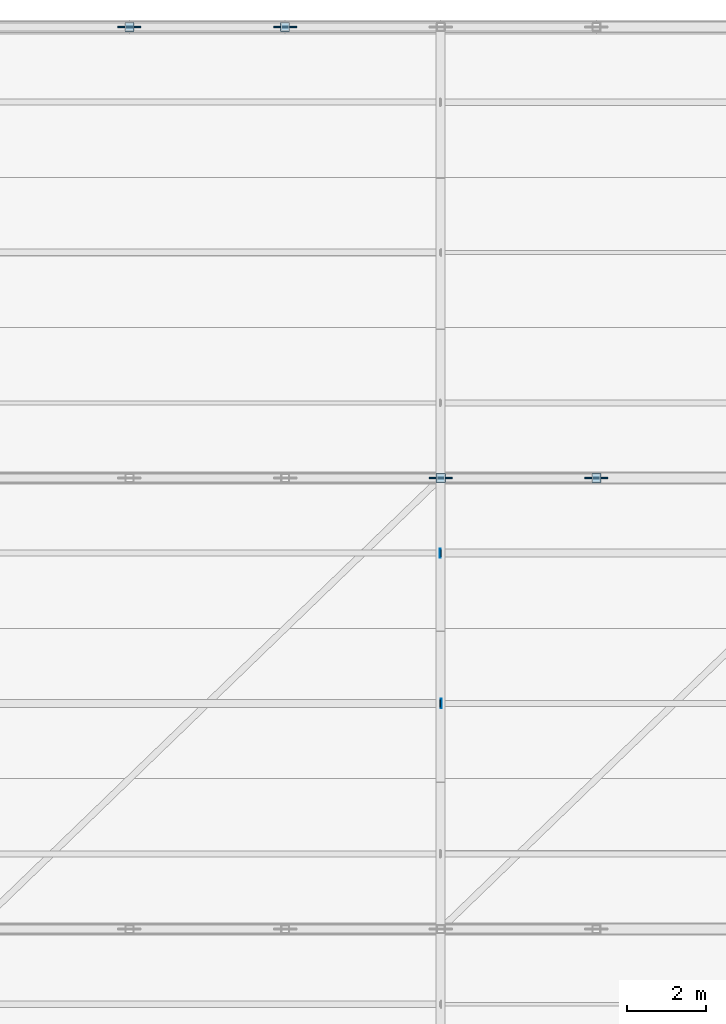
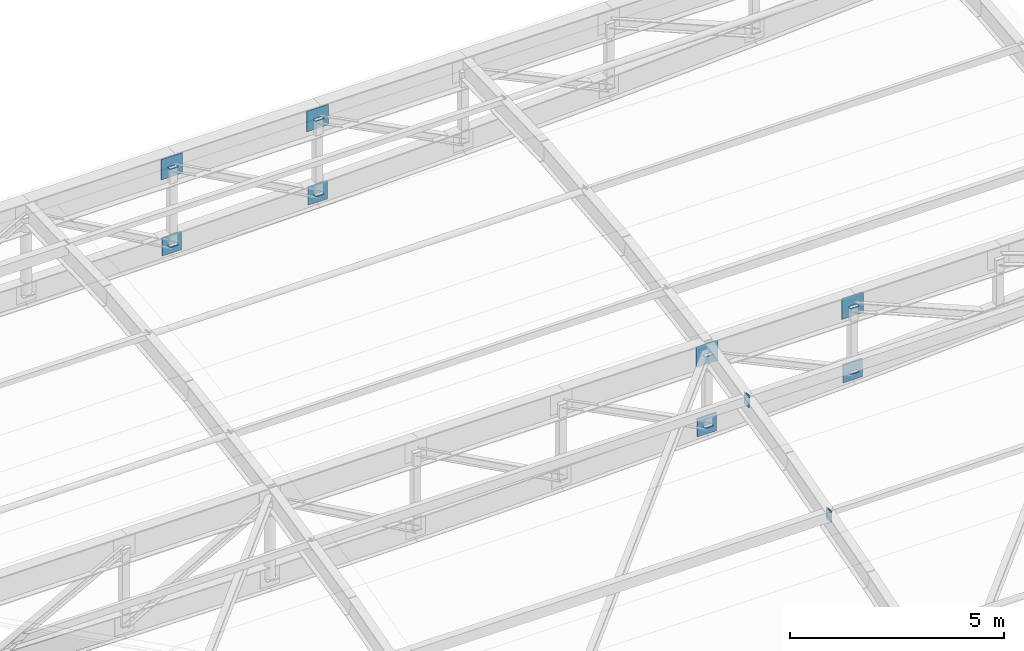
# One storey, part 61 of 65: 20 plates.
"""IFC4 building model written with IfcOpenShell, lengths in metres."""

from ifc_helpers import new_model, si_unit, direction, frame, origin, origin_2d, place, context, subcontext, project, spatial, rectangle, extrude, material, layer, layer_set, type_object, element, save


model = new_model("IFC4")

# Units and contexts
model_context = context("Model", 3, precision=1e-05, world=origin(), true_north=direction((0.0, 1.0)))
body_context = subcontext(model_context, "Body", "Model", "MODEL_VIEW")
ifc_project = project(units=[si_unit("LENGTHUNIT", "METRE"), si_unit("AREAUNIT", "SQUARE_METRE"), si_unit("VOLUMEUNIT", "CUBIC_METRE"), si_unit("PLANEANGLEUNIT", "RADIAN"), si_unit("MASSUNIT", "GRAM", prefix="KILO"), si_unit("POWERUNIT", "WATT"), si_unit("THERMODYNAMICTEMPERATUREUNIT", "KELVIN")], contexts=[model_context])

# Site, building, storey
site_placement = place(None, origin())
site = spatial("IfcSite", under=ifc_project, at=site_placement, CompositionType="ELEMENT")
building_placement = place(site_placement, origin())
building = spatial("IfcBuilding", under=site, at=building_placement, Name="Kelmbourne Parkland Aquatics Centre", CompositionType="ELEMENT")
storey_placement = place(building_placement, frame((0.0, 0.0, 27.0)))
storey = spatial("IfcBuildingStorey", under=building, at=storey_placement, Name="RF", CompositionType="ELEMENT", Elevation=27.0)

# Plates
ifc_material = material(Name="Welded plate steel AS/NZS 3678 Grade 350", Category="steel")
ifc_layer_1 = layer(ifc_material, 0.02001953125)
ifc_layer_set_1 = layer_set([ifc_layer_1], Name="Welded plate steel AS/NZS 3678 Grade 350")
plate_type_1 = type_object("IfcPlateType", Name="PL-CAP-20", PredefinedType="USERDEFINED", material=ifc_layer_set_1)
for number, where, z_axis, x_axis, name in (
    (1, (163.39990234375, 103.39990234375, -2.05322265625), (0.0, 0.0, 1.0), (1.0, 0.0, 0.0), "Hollow end cap plate CAP-0267"),
    (2, (163.39990234375, 103.39990234375, -0.017578125), (0.0, 0.0, 1.0), (1.0, 0.0, 0.0), "Hollow end cap plate CAP-0268"),
    (3, (167.333251953125, 103.39990234375, -1.8876953125), (0.0, 0.0, 1.0), (1.0, 0.0, 0.0), "Hollow end cap plate CAP-0269"),
    (4, (167.333251953125, 103.39990234375, -0.017578125), (0.0, 0.0, 1.0), (1.0, 0.0, 0.0), "Hollow end cap plate CAP-0270"),
    (5, (155.533203125, 114.800048828125, -1.04541015625), (0.0, 0.0, 1.0), (1.0, 0.0, 0.0), "Hollow end cap plate CAP-0289"),
    (6, (155.533203125, 114.800048828125, 1.178955078125), (0.0, 0.0, 1.0), (1.0, 0.0, 0.0), "Hollow end cap plate CAP-0290"),
    (7, (159.466796875, 114.800048828125, -0.974609375), (0.0, 0.0, 1.0), (1.0, 0.0, 0.0), "Hollow end cap plate CAP-0291"),
    (8, (159.466796875, 114.800048828125, 1.178955078125), (0.0, 0.0, 1.0), (1.0, 0.0, 0.0), "Hollow end cap plate CAP-0292"),
):
    element("IfcPlate", number, at=place(storey_placement, frame(where, z_axis=z_axis, x_axis=x_axis)), inside=storey, type_object=plate_type_1, Name=name, ObjectType="END CAP PLATE", PredefinedType="USERDEFINED", context=body_context, shape_type="SweptSolid", body=[
        extrude(rectangle(XDim=0.22998046875, YDim=0.22998046875, at=origin_2d()), origin(), (0.0, 0.0, 1.0), 0.02001953125),
    ])
plate_1_placement = place(storey_placement, frame((163.39111328125, 97.699951171875, -1.17236328125), z_axis=(0.0, 0.0, 1.0), x_axis=(-1.0, 0.0, 0.0)))
element("IfcPlate", 9, at=plate_1_placement, inside=storey, type_object=plate_type_1, Name="Hollow end cap plate CAP-0507", ObjectType="END CAP PLATE", PredefinedType="USERDEFINED", context=body_context, shape_type="SweptSolid", body=[
    extrude(rectangle(XDim=0.02001953125, YDim=0.179931640625, at=origin_2d()), origin(), (0.0, 0.0, 1.0), 0.179931640625),
])
plate_2_placement = place(storey_placement, frame((163.408935546875, 101.5, -0.29296875), z_axis=(0.0, 0.0, 1.0), x_axis=(1.0, 0.0, 0.0)))
element("IfcPlate", 10, at=plate_2_placement, inside=storey, type_object=plate_type_1, Name="Hollow end cap plate CAP-0514", ObjectType="END CAP PLATE", PredefinedType="USERDEFINED", context=body_context, shape_type="SweptSolid", body=[
    extrude(rectangle(XDim=0.02001953125, YDim=0.179931640625, at=origin_2d()), origin(), (0.0, 0.0, 1.0), 0.280029296875),
])
ifc_layer_2 = layer(ifc_material, 0.02392578125)
ifc_layer_set_2 = layer_set([ifc_layer_2], Name="Welded plate steel AS/NZS 3678 Grade 350")
plate_type_2 = type_object("IfcPlateType", Name="PL-CAP-24", PredefinedType="USERDEFINED", material=ifc_layer_set_2)
for number, where, z_axis, x_axis, name in (
    (11, (163.410888671875, 97.699951171875, -1.322509765625), (0.0, 0.0, 1.0), (1.0, 0.0, 0.0), "Hollow end cap plate CAP-0506"),
    (12, (163.388916015625, 101.5, -0.343017578125), (0.0, 0.0, 1.0), (-1.0, 0.0, 0.0), "Hollow end cap plate CAP-0515"),
):
    element("IfcPlate", number, at=place(storey_placement, frame(where, z_axis=z_axis, x_axis=x_axis)), inside=storey, type_object=plate_type_2, Name=name, ObjectType="END CAP PLATE", PredefinedType="USERDEFINED", context=body_context, shape_type="SweptSolid", body=[
        extrude(rectangle(XDim=0.02392578125, YDim=0.22998046875, at=origin_2d()), origin(), (0.0, 0.0, 1.0), 0.330078125),
    ])
ifc_layer_3 = layer(ifc_material, 0.031982421875)
ifc_layer_set_3 = layer_set([ifc_layer_3], Name="Welded plate steel AS/NZS 3678 Grade 350")
plate_type_3 = type_object("IfcPlateType", Name="PL-GUS-3", PredefinedType="USERDEFINED", material=ifc_layer_set_3)
plate_3_placement = place(storey_placement, frame((163.39990234375, 103.39990234375, -0.306640625), z_axis=(0.0, 0.0, 1.0), x_axis=(1.0, 0.0, 0.0)))
element("IfcPlate", 13, at=plate_3_placement, inside=storey, type_object=plate_type_3, Name="Truss top node TN-3 gusset plate R09-N9", ObjectType="GUSSET PLATE", PredefinedType="USERDEFINED", context=body_context, shape_type="SweptSolid", body=[
    extrude(rectangle(XDim=0.580078125, YDim=0.031982421875, at=origin_2d()), origin(), (0.0, 0.0, 1.0), 0.580078125),
])
plate_4_placement = place(storey_placement, frame((163.39990234375, 103.39990234375, -2.294189453125), z_axis=(0.0, 0.0, 1.0), x_axis=(1.0, 0.0, 0.0)))
element("IfcPlate", 14, at=plate_4_placement, inside=storey, type_object=plate_type_3, Name="Truss bottom node TN-3 gusset plate R09-B9", ObjectType="GUSSET PLATE", PredefinedType="USERDEFINED", context=body_context, shape_type="SweptSolid", body=[
    extrude(rectangle(XDim=0.52001953125, YDim=0.031982421875, at=origin_2d()), origin(), (0.0, 0.0, 1.0), 0.52001953125),
])
plate_5_placement = place(storey_placement, frame((167.333251953125, 103.39990234375, -0.306640625), z_axis=(0.0, 0.0, 1.0), x_axis=(1.0, 0.0, 0.0)))
element("IfcPlate", 15, at=plate_5_placement, inside=storey, type_object=plate_type_3, Name="Truss top node TN-3 gusset plate R09-N10", ObjectType="GUSSET PLATE", PredefinedType="USERDEFINED", context=body_context, shape_type="SweptSolid", body=[
    extrude(rectangle(XDim=0.580078125, YDim=0.031982421875, at=origin_2d()), origin(), (0.0, 0.0, 1.0), 0.580078125),
])
plate_6_placement = place(storey_placement, frame((167.333251953125, 103.39990234375, -2.12890625), z_axis=(0.0, 0.0, 1.0), x_axis=(1.0, 0.0, 0.0)))
element("IfcPlate", 16, at=plate_6_placement, inside=storey, type_object=plate_type_3, Name="Truss bottom node TN-3 gusset plate R09-B10", ObjectType="GUSSET PLATE", PredefinedType="USERDEFINED", context=body_context, shape_type="SweptSolid", body=[
    extrude(rectangle(XDim=0.52001953125, YDim=0.031982421875, at=origin_2d()), origin(), (0.0, 0.0, 1.0), 0.52001953125),
])
plate_7_placement = place(storey_placement, frame((155.533203125, 114.800048828125, 0.889892578125), z_axis=(0.0, 0.0, 1.0), x_axis=(1.0, 0.0, 0.0)))
element("IfcPlate", 17, at=plate_7_placement, inside=storey, type_object=plate_type_3, Name="Truss top node TN-3 gusset plate R10-N7", ObjectType="GUSSET PLATE", PredefinedType="USERDEFINED", context=body_context, shape_type="SweptSolid", body=[
    extrude(rectangle(XDim=0.580078125, YDim=0.031982421875, at=origin_2d()), origin(), (0.0, 0.0, 1.0), 0.580078125),
])
plate_8_placement = place(storey_placement, frame((155.533203125, 114.800048828125, -1.286376953125), z_axis=(0.0, 0.0, 1.0), x_axis=(1.0, 0.0, 0.0)))
element("IfcPlate", 18, at=plate_8_placement, inside=storey, type_object=plate_type_3, Name="Truss bottom node TN-3 gusset plate R10-B7", ObjectType="GUSSET PLATE", PredefinedType="USERDEFINED", context=body_context, shape_type="SweptSolid", body=[
    extrude(rectangle(XDim=0.52001953125, YDim=0.031982421875, at=origin_2d()), origin(), (0.0, 0.0, 1.0), 0.52001953125),
])
plate_9_placement = place(storey_placement, frame((159.466796875, 114.800048828125, 0.889892578125), z_axis=(0.0, 0.0, 1.0), x_axis=(1.0, 0.0, 0.0)))
element("IfcPlate", 19, at=plate_9_placement, inside=storey, type_object=plate_type_3, Name="Truss top node TN-3 gusset plate R10-N8", ObjectType="GUSSET PLATE", PredefinedType="USERDEFINED", context=body_context, shape_type="SweptSolid", body=[
    extrude(rectangle(XDim=0.580078125, YDim=0.031982421875, at=origin_2d()), origin(), (0.0, 0.0, 1.0), 0.580078125),
])
plate_10_placement = place(storey_placement, frame((159.466796875, 114.800048828125, -1.215576171875), z_axis=(0.0, 0.0, 1.0), x_axis=(1.0, 0.0, 0.0)))
element("IfcPlate", 20, at=plate_10_placement, inside=storey, type_object=plate_type_3, Name="Truss bottom node TN-3 gusset plate R10-B8", ObjectType="GUSSET PLATE", PredefinedType="USERDEFINED", context=body_context, shape_type="SweptSolid", body=[
    extrude(rectangle(XDim=0.52001953125, YDim=0.031982421875, at=origin_2d()), origin(), (0.0, 0.0, 1.0), 0.52001953125),
])

save(model, "model.ifc")
